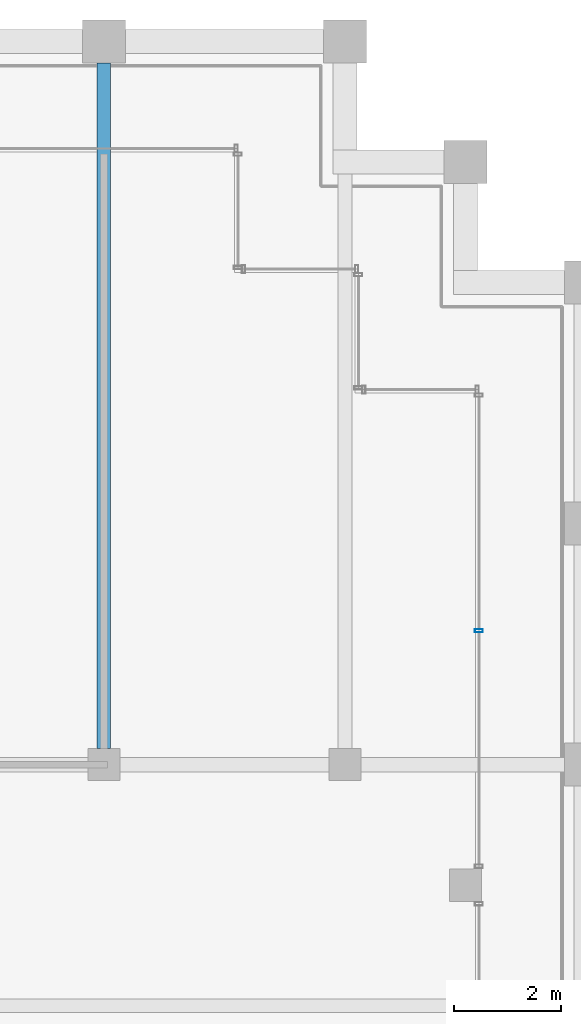
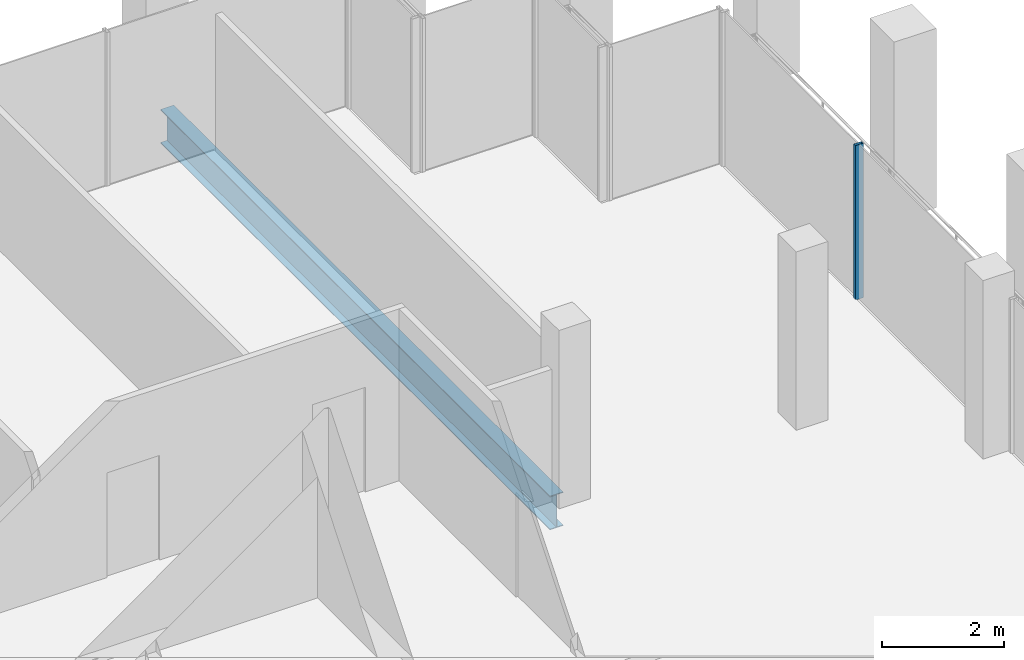
# One storey, part 24 of 30: 1 beam, 1 member, 1 element without a shape of its own.
"""IFC4 building model written with IfcOpenShell, lengths in metres."""

import ifcopenshell
import ifcopenshell.guid

model = None  # the IFC model being written
_history = None  # IfcOwnerHistory: only IFC2X3 demands one
_inside = {}  # id of a spatial element -> (the spatial element, [elements in it])
_under = {}  # id of a project, library or spatial element -> (it, [spatial elements below it])
_declared = {}  # id of a project -> (the project, [libraries it declares])
_typed = {}  # id of a type object -> (the type object, [elements of that type])
_made_of = {}  # id of a material, layer set ... -> (it, [elements and type objects made of it])


def new_model(schema):
    """Start an empty IFC model of exactly this schema.

    Asked for "IFC4X3", IfcOpenShell would pick the latest addendum, in which some entities
    have other attributes; the version numbers below select the first issue.
    IFC2X3 requires an IfcOwnerHistory on every rooted entity: one is made here for all.
    """
    global model, _history
    if schema == "IFC4X3":
        model = ifcopenshell.file(schema_version=(4, 3, 0, 0))
    else:
        model = ifcopenshell.file(schema=schema)
    _inside.clear()
    _under.clear()
    _declared.clear()
    _typed.clear()
    _made_of.clear()
    _history = None
    if model.schema == "IFC2X3":
        org = make("IfcOrganization", Name="unknown")
        user = make(
            "IfcPersonAndOrganization",
            ThePerson=make("IfcPerson", FamilyName="unknown"),
            TheOrganization=org,
        )
        app = make(
            "IfcApplication",
            ApplicationDeveloper=org,
            Version="unknown",
            ApplicationFullName="unknown",
            ApplicationIdentifier="unknown",
        )
        _history = make(
            "IfcOwnerHistory",
            OwningUser=user,
            OwningApplication=app,
            ChangeAction="ADDED",
            CreationDate=0,
        )
    return model


def make(cls, **values):
    """One entity of the class cls with the attributes given. An attribute that is None is left unset."""
    return model.create_entity(
        cls, **{name: value for name, value in values.items() if value is not None}
    )


def rooted(cls, **values):
    """An entity with a GlobalId (a new one), such as an element, a storey or a relation."""
    return make(cls, GlobalId=ifcopenshell.guid.new(), OwnerHistory=_history, **values)


def si_unit(unit_type, name, prefix=None):
    """IfcSIUnit, for example si_unit("LENGTHUNIT", "METRE", prefix="MILLI")."""
    return make("IfcSIUnit", UnitType=unit_type, Prefix=prefix, Name=name)


def assignment(units):
    """IfcUnitAssignment: the units of a project."""
    return None if units is None else make("IfcUnitAssignment", Units=units)


def point(xyz):
    """IfcCartesianPoint."""
    return None if xyz is None else make("IfcCartesianPoint", Coordinates=xyz)


def direction(xyz):
    """IfcDirection."""
    return None if xyz is None else make("IfcDirection", DirectionRatios=xyz)


def frame(location, z_axis=None, x_axis=None):
    """IfcAxis2Placement3D, a coordinate frame: its origin and axes. An axis left out is left unset."""
    return make(
        "IfcAxis2Placement3D",
        Location=point(location),
        Axis=direction(z_axis),
        RefDirection=direction(x_axis),
    )


def frame_2d(location, x_axis=None):
    """IfcAxis2Placement2D, a coordinate frame in the plane: its origin and x axis."""
    return make(
        "IfcAxis2Placement2D", Location=point(location), RefDirection=direction(x_axis)
    )


def origin():
    """The frame at (0, 0, 0) with its axes left unset."""
    return frame((0.0, 0.0, 0.0))


def origin_2d():
    """The frame at (0, 0) in the plane with its x axis left unset."""
    return frame_2d((0.0, 0.0))


def place(relative_to, where):
    """IfcLocalPlacement: puts the frame where relative to a parent placement (None: the world)."""
    return make(
        "IfcLocalPlacement", PlacementRelTo=relative_to, RelativePlacement=where
    )


def context(
    kind, dimensions, precision=None, world=None, true_north=None, identifier=None
):
    """IfcGeometricRepresentationContext, for example the 3D "Model" context."""
    return make(
        "IfcGeometricRepresentationContext",
        ContextIdentifier=identifier,
        ContextType=kind,
        CoordinateSpaceDimension=dimensions,
        Precision=precision,
        WorldCoordinateSystem=world,
        TrueNorth=true_north,
    )


def subcontext(parent, identifier, kind, view, scale=None):
    """IfcGeometricRepresentationSubContext, for example "Body" below "Model"."""
    return make(
        "IfcGeometricRepresentationSubContext",
        ContextIdentifier=identifier,
        ContextType=kind,
        ParentContext=parent,
        TargetScale=scale,
        TargetView=view,
    )


def project(units=None, contexts=None):
    """IfcProject with its units and contexts."""
    return rooted(
        "IfcProject",
        Name="project",
        RepresentationContexts=contexts,
        UnitsInContext=assignment(units),
    )


def spatial(cls, under=None, at=None, **own):
    """A site, building, storey or space (cls), placed at a placement, below another one or the project."""
    s = rooted(cls, ObjectPlacement=at, **own)
    if under is not None:
        _under.setdefault(under.id(), (under, []))[1].append(s)
    return s


def profile(cls, at=None, kind="AREA", **sizes):
    """A parametric profile (cls). Its sizes go by their IFC names, for example OverallWidth=200.0."""
    return make(cls, ProfileType=kind, Position=at, **sizes)


def hollow_rectangle(**sizes):
    """IfcRectangleHollowProfileDef."""
    return profile("IfcRectangleHollowProfileDef", **sizes)


def i_section(**sizes):
    """IfcIShapeProfileDef."""
    return profile("IfcIShapeProfileDef", **sizes)


def extrude(swept, where, along, depth):
    """IfcExtrudedAreaSolid: the profile swept, set in the frame where, extruded along a direction by depth."""
    return make(
        "IfcExtrudedAreaSolid",
        SweptArea=swept,
        Position=where,
        ExtrudedDirection=direction(along),
        Depth=depth,
    )


def shape(context_of_items, identifier, shape_type, items):
    """IfcShapeRepresentation: the items that make up one representation, for example the "Body"."""
    return make(
        "IfcShapeRepresentation",
        ContextOfItems=context_of_items,
        RepresentationIdentifier=identifier,
        RepresentationType=shape_type,
        Items=items,
    )


def material(Name=None, Category=None):
    """IfcMaterial."""
    return make("IfcMaterial", Name=Name, Category=Category)


def material_profile(
    of_material, cross_section, Name=None, Category=None, Priority=None
):
    """IfcMaterialProfile: a cross section and its material."""
    return make(
        "IfcMaterialProfile",
        Name=Name,
        Material=of_material,
        Profile=cross_section,
        Priority=Priority,
        Category=Category,
    )


def profile_set(profiles, Name=None, composite=None):
    """IfcMaterialProfileSet."""
    return make(
        "IfcMaterialProfileSet",
        Name=Name,
        MaterialProfiles=profiles,
        CompositeProfile=composite,
    )


def made_of(thing, what):
    """Note that an element or type object is made of a material, layer set ...; save() writes the relation."""
    if what is not None:
        _made_of.setdefault(what.id(), (what, []))[1].append(thing)
    return thing


def type_object(cls, material=None, **own):
    """A type object (cls), such as IfcWallType, which elements share."""
    return made_of(rooted(cls, **own), material)


def element(
    cls,
    number,
    at=None,
    inside=None,
    cuts=None,
    type_object=None,
    material=None,
    context=None,
    identifier="Body",
    shape_type=None,
    held_by="IfcProductDefinitionShape",
    body=None,
    shapes=None,
    **own,
):
    """One element of the class cls, such as IfcWall. Its Tag is "e" and its number.

    at: its placement. inside: the storey or other place that contains it. cuts: it is an
    opening in that element (IfcRelVoidsElement). A single representation is given by context,
    identifier, shape_type and body (its items); several are given by shapes. held_by: the class
    of the entity that holds the representations. save() writes the other relations.
    """
    e = rooted(cls, Tag="e%d" % number, ObjectPlacement=at, **own)
    if body is not None:
        shapes = [shape(context, identifier, shape_type, body)]
    if shapes is not None:
        e.Representation = make(held_by, Representations=shapes)
    if inside is not None:
        _inside.setdefault(inside.id(), (inside, []))[1].append(e)
    if cuts is not None:
        rooted(
            "IfcRelVoidsElement", RelatingBuildingElement=cuts, RelatedOpeningElement=e
        )
    if type_object is not None:
        _typed.setdefault(type_object.id(), (type_object, []))[1].append(e)
    return made_of(e, material)


def aggregate(whole, parts):
    """IfcRelAggregates: a whole, such as a stair, and the parts it consists of."""
    return rooted("IfcRelAggregates", RelatingObject=whole, RelatedObjects=parts)


def save(model, path):
    """Write the relations noted so far, then the file.

    IfcRelAggregates (storeys below a building ...), IfcRelContainedInSpatialStructure (elements
    in a storey), IfcRelDefinesByType, IfcRelAssociatesMaterial and IfcRelDeclares: one each for
    every whole, place, type object, material and project.
    """
    for whole, parts in _under.values():
        aggregate(whole, parts)
    for where, things in _inside.values():
        rooted(
            "IfcRelContainedInSpatialStructure",
            RelatedElements=things,
            RelatingStructure=where,
        )
    for kind, things in _typed.values():
        rooted("IfcRelDefinesByType", RelatedObjects=things, RelatingType=kind)
    for what, things in _made_of.values():
        rooted("IfcRelAssociatesMaterial", RelatedObjects=things, RelatingMaterial=what)
    for by, libraries in _declared.values():
        rooted("IfcRelDeclares", RelatingContext=by, RelatedDefinitions=libraries)
    model.write(path)


model = new_model("IFC4")

# Units and contexts
model_context = context("Model", 3, precision=1e-05, world=origin(), true_north=direction((0.0, 1.0)))
body_context = subcontext(model_context, "Body", "Model", "MODEL_VIEW")
ifc_project = project(units=[si_unit("LENGTHUNIT", "METRE"), si_unit("AREAUNIT", "SQUARE_METRE"), si_unit("VOLUMEUNIT", "CUBIC_METRE"), si_unit("PLANEANGLEUNIT", "RADIAN"), si_unit("MASSUNIT", "GRAM", prefix="KILO")], contexts=[model_context])

# Site, building, storey
site_placement = place(None, origin())
site = spatial("IfcSite", under=ifc_project, at=site_placement, CompositionType="ELEMENT")
building_placement = place(site_placement, origin())
building = spatial("IfcBuilding", under=site, at=building_placement, Name="Altepetl Exchange Towers", CompositionType="ELEMENT")
storey_placement = place(building_placement, frame((0.0, 0.0, 220.800048828125)))
storey = spatial("IfcBuildingStorey", under=building, at=storey_placement, Name="L56", CompositionType="ELEMENT", Elevation=220.800048828125)

# Beam
ifc_material_1 = material(Name="Steel S355", Category="steel")
ifc_material_profile_1 = material_profile(ifc_material_1, i_section(OverallWidth=0.2529296875, OverallDepth=0.677978515625, WebThickness=0.01171875, FlangeThickness=0.016357421875, at=origin_2d()), Name="W27X84")
ifc_profile_set_1 = profile_set([ifc_material_profile_1], Name="Steel S355")
beam_type = type_object("IfcBeamType", Name="Floor beam W27X84", PredefinedType="BEAM", material=ifc_profile_set_1)
beam_placement = place(storey_placement, frame((63.0, 58.800048828125, -0.489013671875), z_axis=(0.0, 1.0, 0.0), x_axis=(-1.0, 0.0, 0.0)))
element("IfcBeam", 1, at=beam_placement, inside=storey, type_object=beam_type, Name="bm:A:L56:004", PredefinedType="BEAM", context=body_context, shape_type="SweptSolid", body=[
    extrude(i_section(OverallWidth=0.2529296875, OverallDepth=0.677978515625, WebThickness=0.01171875, FlangeThickness=0.016357421875, at=origin_2d()), origin(), (0.0, 0.0, 1.0), 12.800048828125),
])

# Curtain wall, member
ifc_material_2 = material(Name="Aluminium 6063-T6 glazing", Category="aluminium")
curtain_wall_type = type_object("IfcCurtainWallType", Name="Loggia glazing system", PredefinedType="NOTDEFINED", material=ifc_material_2)
curtain_wall_placement = place(storey_placement, origin())
curtain_wall = element("IfcCurtainWall", 2, at=curtain_wall_placement, inside=storey, type_object=curtain_wall_type, Name="CW1 run", PredefinedType="NOTDEFINED")
ifc_material_3 = material(Name="Aluminium 6063-T6", Category="aluminium")
ifc_material_profile_2 = material_profile(ifc_material_3, hollow_rectangle(XDim=0.06005859375, YDim=0.14990234375, WallThickness=0.0029296875, at=origin_2d()), Name="Mullion 60x150 aluminium")
ifc_profile_set_2 = profile_set([ifc_material_profile_2], Name="Aluminium 6063-T6")
member_type = type_object("IfcMemberType", Name="Mullion 60x150 aluminium", PredefinedType="MULLION", material=ifc_profile_set_2)
member_placement = place(storey_placement, frame((70.0, 60.99755859375, 0.0), z_axis=(0.0, 0.0, 1.0), x_axis=(0.0, 1.0, 0.0)))
member = element("IfcMember", 3, at=member_placement, type_object=member_type, Name="MU1 mullion", PredefinedType="MULLION", context=body_context, shape_type="SweptSolid", body=[
    extrude(hollow_rectangle(XDim=0.06005859375, YDim=0.14990234375, WallThickness=0.0029296875, at=origin_2d()), origin(), (0.0, 0.0, 1.0), 3.099853515625),
])
aggregate(curtain_wall, [member])

save(model, "model.ifc")
